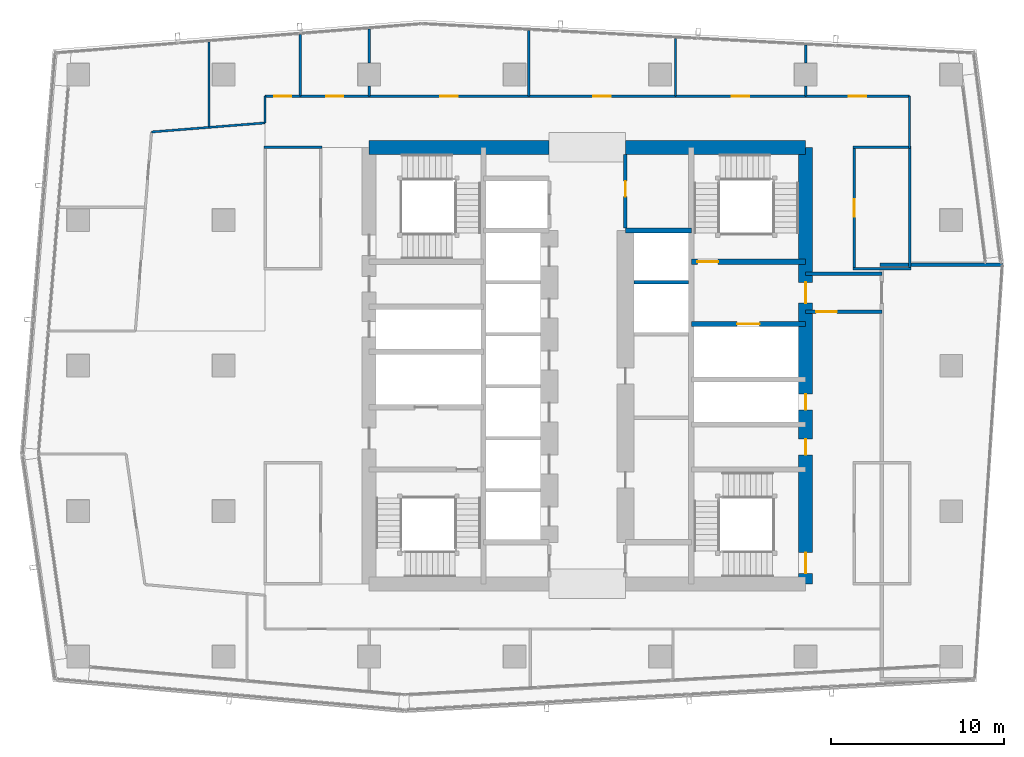
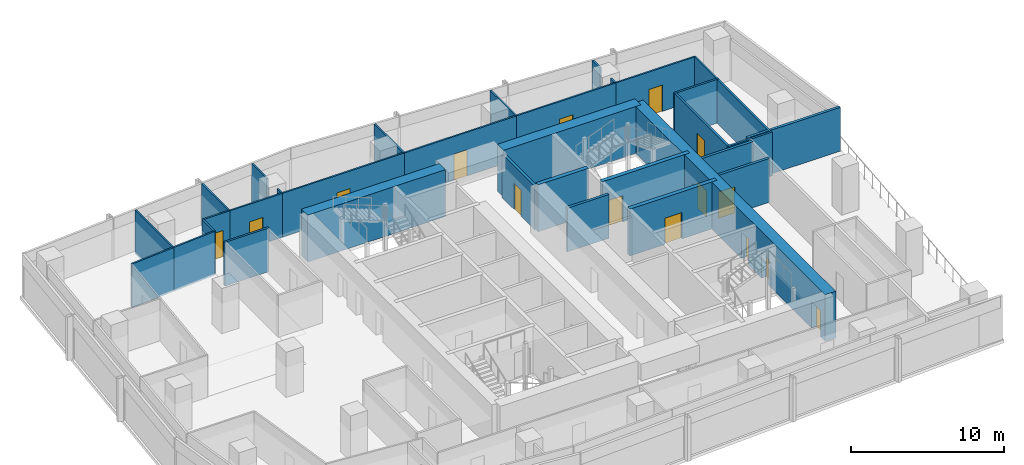
# One storey, part 22 of 28: 34 walls, 15 doors, 15 openings.
"""IFC4 building model written with IfcOpenShell, lengths in metres."""

from ifc_helpers import new_model, si_unit, direction, frame, frame_2d, origin, place, context, subcontext, project, spatial, rectangle, extrude, material, layer, layer_set, type_object, element, fill, save


model = new_model("IFC4")

# Units and contexts
model_context = context("Model", 3, precision=1e-05, world=origin(), true_north=direction((0.0, 1.0)))
body_context = subcontext(model_context, "Body", "Model", "MODEL_VIEW")
ifc_project = project(units=[si_unit("LENGTHUNIT", "METRE"), si_unit("AREAUNIT", "SQUARE_METRE"), si_unit("VOLUMEUNIT", "CUBIC_METRE"), si_unit("PLANEANGLEUNIT", "RADIAN"), si_unit("MASSUNIT", "GRAM", prefix="KILO")], contexts=[model_context])

# Site, building, storey
site_placement = place(None, origin())
site = spatial("IfcSite", under=ifc_project, at=site_placement, CompositionType="ELEMENT")
building_placement = place(site_placement, origin())
building = spatial("IfcBuilding", under=site, at=building_placement, Name="Rekha Terrace Tower", CompositionType="ELEMENT")
storey_placement = place(building_placement, frame((0.0, 0.0, 253.85009765625)))
storey = spatial("IfcBuildingStorey", under=building, at=storey_placement, Name="L64", CompositionType="ELEMENT", Elevation=253.85009765625)

# Wall
ifc_material_1 = material(Name="Concrete M60", Category="concrete")
ifc_layer_1 = layer(ifc_material_1, 0.300048828125)
ifc_layer_set_1 = layer_set([ifc_layer_1], Name="Concrete M60")
wall_type_1 = type_object("IfcWallType", Name="CI5 300 core internal shear wall", PredefinedType="SHEAR", material=ifc_layer_set_1)
wall_1_placement = place(storey_placement, frame((40.0, 41.39990234375, 0.0), z_axis=(0.0, 0.0, 1.0), x_axis=(1.0, 0.0, 0.0)))
element("IfcWall", 1, at=wall_1_placement, inside=storey, type_object=wall_type_1, Name="Core wall Y414E L64", PredefinedType="SHEAR", context=body_context, shape_type="SweptSolid", body=[
    extrude(rectangle(XDim=3.800048828125, YDim=0.300048828125, at=frame_2d((1.89990234375, 0.0))), origin(), (0.0, 0.0, 1.0), 3.75),
])

# Wall, opening, door
wall_2_placement = place(storey_placement, frame((43.800048828125, 36.0, 0.0), z_axis=(0.0, 0.0, 1.0), x_axis=(1.0, 0.0, 0.0)))
wall_2 = element("IfcWall", 2, at=wall_2_placement, inside=storey, type_object=wall_type_1, Name="Core wall Y360E L64", PredefinedType="SHEAR", context=body_context, shape_type="SweptSolid", body=[
    extrude(rectangle(XDim=6.599853515625, YDim=0.300048828125, at=frame_2d((3.2998046875, 0.0))), origin(), (0.0, 0.0, 1.0), 3.75),
])
opening_1_placement = place(wall_2_placement, frame((2.64990234375, 0.0, 0.0)))
opening_1 = element("IfcOpeningElement", 3, at=opening_1_placement, cuts=wall_2, Name="Opening LD2", PredefinedType="OPENING", context=body_context, shape_type="SweptSolid", body=[
    extrude(rectangle(XDim=1.300048828125, YDim=2.10009765625, at=frame_2d((0.64990234375, 1.050048828125))), frame((0.0, 0.159912109375, 0.0), z_axis=(0.0, -1.0, 0.0), x_axis=(1.0, 0.0, 0.0)), (0.0, 0.0, 1.0), 0.320068359375),
])
ifc_material_2 = material(Name="Stainless steel sliding landing door", Category="steel")
door_type_1 = type_object("IfcDoorType", Name="LD2 1300x2100 fire lift landing door", OperationType="SLIDING_TO_LEFT", PredefinedType="USERDEFINED", material=ifc_material_2)
door_1_placement = place(opening_1_placement, origin())
door_1 = element("IfcDoor", 4, at=door_1_placement, inside=storey, type_object=door_type_1, Name="Lift FL2 landing door L64", ObjectType="LIFT LANDING DOOR", OperationType="SLIDING_TO_LEFT", OverallHeight=2.10009765625, OverallWidth=1.300048828125, PredefinedType="USERDEFINED", context=body_context, shape_type="SweptSolid", body=[
    extrude(rectangle(XDim=1.300048828125, YDim=2.10009765625, at=frame_2d((0.64990234375, 1.050048828125))), frame((0.0, 0.02490234375, 0.0), z_axis=(0.0, -1.0, 0.0), x_axis=(1.0, 0.0, 0.0)), (0.0, 0.0, 1.0), 0.050048828125),
])
fill(opening_1, door_1)

wall_3_placement = place(storey_placement, frame((43.800048828125, 39.60009765625, 0.0), z_axis=(0.0, 0.0, 1.0), x_axis=(1.0, 0.0, 0.0)))
wall_3 = element("IfcWall", 5, at=wall_3_placement, inside=storey, type_object=wall_type_1, Name="Core wall Y396E L64", PredefinedType="SHEAR", context=body_context, shape_type="SweptSolid", body=[
    extrude(rectangle(XDim=6.599853515625, YDim=0.300048828125, at=frame_2d((3.2998046875, 0.0))), origin(), (0.0, 0.0, 1.0), 3.75),
])
opening_2_placement = place(wall_3_placement, frame((0.35009765625, 0.0, 0.0)))
opening_2 = element("IfcOpeningElement", 6, at=opening_2_placement, cuts=wall_3, Name="Opening D1", PredefinedType="OPENING", context=body_context, shape_type="SweptSolid", body=[
    extrude(rectangle(XDim=1.199951171875, YDim=2.10009765625, at=frame_2d((0.60009765625, 1.050048828125))), frame((0.0, 0.159912109375, 0.0), z_axis=(0.0, -1.0, 0.0), x_axis=(1.0, 0.0, 0.0)), (0.0, 0.0, 1.0), 0.320068359375),
])
ifc_material_3 = material(Name="Steel fire door", Category="steel")
door_type_2 = type_object("IfcDoorType", Name="D1 1200x2100 stair fire door", OperationType="SINGLE_SWING_RIGHT", PredefinedType="DOOR", material=ifc_material_3)
door_2_placement = place(opening_2_placement, origin())
door_2 = element("IfcDoor", 7, at=door_2_placement, inside=storey, type_object=door_type_2, Name="Stair ST2 door L64", OperationType="SINGLE_SWING_RIGHT", OverallHeight=2.10009765625, OverallWidth=1.199951171875, PredefinedType="DOOR", context=body_context, shape_type="SweptSolid", body=[
    extrude(rectangle(XDim=1.199951171875, YDim=2.10009765625, at=frame_2d((0.60009765625, 1.050048828125))), frame((0.0, 0.02490234375, 0.0), z_axis=(0.0, -1.0, 0.0), x_axis=(1.0, 0.0, 0.0)), (0.0, 0.0, 1.0), 0.050048828125),
])
fill(opening_2, door_2)

# Walls
ifc_layer_2 = layer(ifc_material_1, 0.800048828125)
ifc_layer_set_2 = layer_set([ifc_layer_2], Name="Concrete M60")
wall_type_2 = type_object("IfcWallType", Name="SW5 800 core outer shear wall", PredefinedType="SHEAR", material=ifc_layer_set_2)
wall_4_placement = place(storey_placement, frame((25.199951171875, 46.199951171875, 0.0), z_axis=(0.0, 0.0, 1.0), x_axis=(1.0, 0.0, 0.0)))
element("IfcWall", 8, at=wall_4_placement, inside=storey, type_object=wall_type_2, Name="Core wall N1 L64", PredefinedType="SHEAR", context=body_context, shape_type="SweptSolid", body=[
    extrude(rectangle(XDim=10.400146484375, YDim=0.800048828125, at=frame_2d((5.2001953125, 0.0))), origin(), (0.0, 0.0, 1.0), 3.75),
])
wall_5_placement = place(storey_placement, frame((40.0, 46.199951171875, 0.0), z_axis=(0.0, 0.0, 1.0), x_axis=(1.0, 0.0, 0.0)))
element("IfcWall", 9, at=wall_5_placement, inside=storey, type_object=wall_type_2, Name="Core wall N2 L64", PredefinedType="SHEAR", context=body_context, shape_type="SweptSolid", body=[
    extrude(rectangle(XDim=10.39990234375, YDim=0.800048828125, at=frame_2d((5.199951171875, 0.0))), origin(), (0.0, 0.0, 1.0), 3.75),
])

# Wall, openings, doors
wall_6_placement = place(storey_placement, frame((50.39990234375, 21.0, 0.0), z_axis=(0.0, 0.0, 1.0), x_axis=(0.0, 1.0, 0.0)))
wall_6 = element("IfcWall", 10, at=wall_6_placement, inside=storey, type_object=wall_type_2, Name="Core wall E L64", PredefinedType="SHEAR", context=body_context, shape_type="SweptSolid", body=[
    extrude(rectangle(XDim=25.199951171875, YDim=0.800048828125, at=frame_2d((12.60009765625, 0.0))), origin(), (0.0, 0.0, 1.0), 3.75),
])
opening_3_placement = place(wall_6_placement, frame((16.199951171875, 0.0, 0.0)))
opening_3 = element("IfcOpeningElement", 11, at=opening_3_placement, cuts=wall_6, Name="Opening D2", PredefinedType="OPENING", context=body_context, shape_type="SweptSolid", body=[
    extrude(rectangle(XDim=1.199951171875, YDim=2.10009765625, at=frame_2d((0.60009765625, 1.050048828125))), frame((0.0, 0.409912109375, 0.0), z_axis=(0.0, -1.0, 0.0), x_axis=(1.0, 0.0, 0.0)), (0.0, 0.0, 1.0), 0.820068359375),
])
opening_4_placement = place(wall_6_placement, frame((10.050048828125, 0.0, 0.0)))
opening_4 = element("IfcOpeningElement", 12, at=opening_4_placement, cuts=wall_6, Name="Opening D5", PredefinedType="OPENING", context=body_context, shape_type="SweptSolid", body=[
    extrude(rectangle(XDim=0.89990234375, YDim=2.10009765625, at=frame_2d((0.449951171875, 1.050048828125))), frame((0.0, 0.409912109375, 0.0), z_axis=(0.0, -1.0, 0.0), x_axis=(1.0, 0.0, 0.0)), (0.0, 0.0, 1.0), 0.820068359375),
])
opening_5_placement = place(wall_6_placement, frame((7.449951171875, 0.0, 0.0)))
opening_5 = element("IfcOpeningElement", 13, at=opening_5_placement, cuts=wall_6, Name="Opening D5", PredefinedType="OPENING", context=body_context, shape_type="SweptSolid", body=[
    extrude(rectangle(XDim=0.89990234375, YDim=2.10009765625, at=frame_2d((0.449951171875, 1.050048828125))), frame((0.0, 0.409912109375, 0.0), z_axis=(0.0, -1.0, 0.0), x_axis=(1.0, 0.0, 0.0)), (0.0, 0.0, 1.0), 0.820068359375),
])
opening_6_placement = place(wall_6_placement, frame((0.60009765625, 0.0, 0.0)))
opening_6 = element("IfcOpeningElement", 14, at=opening_6_placement, cuts=wall_6, Name="Opening D1", PredefinedType="OPENING", context=body_context, shape_type="SweptSolid", body=[
    extrude(rectangle(XDim=1.199951171875, YDim=2.10009765625, at=frame_2d((0.60009765625, 1.050048828125))), frame((0.0, 0.409912109375, 0.0), z_axis=(0.0, -1.0, 0.0), x_axis=(1.0, 0.0, 0.0)), (0.0, 0.0, 1.0), 0.820068359375),
])
door_3_placement = place(opening_6_placement, origin())
door_3 = element("IfcDoor", 15, at=door_3_placement, inside=storey, type_object=door_type_2, Name="Stair ST3 door L64", OperationType="SINGLE_SWING_RIGHT", OverallHeight=2.10009765625, OverallWidth=1.199951171875, PredefinedType="DOOR", context=body_context, shape_type="SweptSolid", body=[
    extrude(rectangle(XDim=1.199951171875, YDim=2.10009765625, at=frame_2d((0.60009765625, 1.050048828125))), frame((0.0, 0.02490234375, 0.0), z_axis=(0.0, -1.0, 0.0), x_axis=(1.0, 0.0, 0.0)), (0.0, 0.0, 1.0), 0.050048828125),
])
fill(opening_6, door_3)
door_type_3 = type_object("IfcDoorType", Name="D2 1200x2100 firefighting lobby door", OperationType="SINGLE_SWING_LEFT", PredefinedType="DOOR", material=ifc_material_3)
door_4_placement = place(opening_3_placement, origin())
door_4 = element("IfcDoor", 16, at=door_4_placement, inside=storey, type_object=door_type_3, Name="Door flb2 L64", OperationType="SINGLE_SWING_LEFT", OverallHeight=2.10009765625, OverallWidth=1.199951171875, PredefinedType="DOOR", context=body_context, shape_type="SweptSolid", body=[
    extrude(rectangle(XDim=1.199951171875, YDim=2.10009765625, at=frame_2d((0.60009765625, 1.050048828125))), frame((0.0, 0.02490234375, 0.0), z_axis=(0.0, -1.0, 0.0), x_axis=(1.0, 0.0, 0.0)), (0.0, 0.0, 1.0), 0.050048828125),
])
fill(opening_3, door_4)
door_type_4 = type_object("IfcDoorType", Name="D5 900x2100 riser access door", OperationType="SINGLE_SWING_LEFT", PredefinedType="DOOR", material=ifc_material_3)
door_5_placement = place(opening_4_placement, origin())
door_5 = element("IfcDoor", 17, at=door_5_placement, inside=storey, type_object=door_type_4, Name="Door rs2 L64", OperationType="SINGLE_SWING_LEFT", OverallHeight=2.10009765625, OverallWidth=0.89990234375, PredefinedType="DOOR", context=body_context, shape_type="SweptSolid", body=[
    extrude(rectangle(XDim=0.89990234375, YDim=2.10009765625, at=frame_2d((0.449951171875, 1.050048828125))), frame((0.0, 0.02490234375, 0.0), z_axis=(0.0, -1.0, 0.0), x_axis=(1.0, 0.0, 0.0)), (0.0, 0.0, 1.0), 0.050048828125),
])
fill(opening_4, door_5)
door_6_placement = place(opening_5_placement, origin())
door_6 = element("IfcDoor", 18, at=door_6_placement, inside=storey, type_object=door_type_4, Name="Door ele L64", OperationType="SINGLE_SWING_LEFT", OverallHeight=2.10009765625, OverallWidth=0.89990234375, PredefinedType="DOOR", context=body_context, shape_type="SweptSolid", body=[
    extrude(rectangle(XDim=0.89990234375, YDim=2.10009765625, at=frame_2d((0.449951171875, 1.050048828125))), frame((0.0, 0.02490234375, 0.0), z_axis=(0.0, -1.0, 0.0), x_axis=(1.0, 0.0, 0.0)), (0.0, 0.0, 1.0), 0.050048828125),
])
fill(opening_5, door_6)

# Walls
ifc_material_4 = material(Name="Concrete block masonry, 1 hour", Category="masonry")
ifc_layer_3 = layer(ifc_material_4, 0.14990234375)
ifc_layer_set_3 = layer_set([ifc_layer_3], Name="Concrete block masonry, 1 hour")
wall_type_3 = type_object("IfcWallType", Name="WP2 150 tenancy partition", PredefinedType="PARTITIONING", material=ifc_layer_set_3)
for number, where, z_axis, x_axis, name in (
    (19, (53.125, 39.199951171875, 0.0), (0.0, 0.0, 1.0), (1.0, 0.0, 0.0), "Women's WC wall L64"),
    (20, (53.125, 46.199951171875, 0.0), (0.0, 0.0, 1.0), (1.0, 0.0, 0.0), "Women's WC wall L64"),
):
    element("IfcWall", number, at=place(storey_placement, frame(where, z_axis=z_axis, x_axis=x_axis)), inside=storey, type_object=wall_type_3, Name=name, PredefinedType="PARTITIONING", context=body_context, shape_type="SweptSolid", body=[
        extrude(rectangle(XDim=3.35009765625, YDim=0.14990234375, at=frame_2d((1.675048828125, 0.0))), origin(), (0.0, 0.0, 1.0), 3.5),
    ])

# Wall, opening, door
wall_7_placement = place(storey_placement, frame((53.199951171875, 39.27490234375, 0.0), z_axis=(0.0, 0.0, 1.0), x_axis=(0.0, 1.0, 0.0)))
wall_7 = element("IfcWall", 21, at=wall_7_placement, inside=storey, type_object=wall_type_3, Name="Women's WC wall L64", PredefinedType="PARTITIONING", context=body_context, shape_type="SweptSolid", body=[
    extrude(rectangle(XDim=6.85009765625, YDim=0.14990234375, at=frame_2d((3.425048828125, 0.0))), origin(), (0.0, 0.0, 1.0), 3.5),
])
opening_7_placement = place(wall_7_placement, frame((2.925048828125, 0.0, 0.0)))
opening_7 = element("IfcOpeningElement", 22, at=opening_7_placement, cuts=wall_7, Name="Opening D3", PredefinedType="OPENING", context=body_context, shape_type="SweptSolid", body=[
    extrude(rectangle(XDim=1.0, YDim=2.10009765625, at=frame_2d((0.5, 1.050048828125))), frame((0.0, 0.0849609375, 0.0), z_axis=(0.0, -1.0, 0.0), x_axis=(1.0, 0.0, 0.0)), (0.0, 0.0, 1.0), 0.169921875),
])
ifc_material_5 = material(Name="Laminated timber fire door", Category="wood")
door_type_5 = type_object("IfcDoorType", Name="D3 1000x2100 WC door", OperationType="SINGLE_SWING_LEFT", PredefinedType="DOOR", material=ifc_material_5)
door_7_placement = place(opening_7_placement, origin())
door_7 = element("IfcDoor", 23, at=door_7_placement, inside=storey, type_object=door_type_5, Name="Door women's wc L64", OperationType="SINGLE_SWING_LEFT", OverallHeight=2.10009765625, OverallWidth=1.0, PredefinedType="DOOR", context=body_context, shape_type="SweptSolid", body=[
    extrude(rectangle(XDim=1.0, YDim=2.10009765625, at=frame_2d((0.5, 1.050048828125))), frame((0.0, 0.02490234375, 0.0), z_axis=(0.0, -1.0, 0.0), x_axis=(1.0, 0.0, 0.0)), (0.0, 0.0, 1.0), 0.050048828125),
])
fill(opening_7, door_7)

# Walls
wall_8_placement = place(storey_placement, frame((56.39990234375, 39.27490234375, 0.0), z_axis=(0.0, 0.0, 1.0), x_axis=(0.0, 1.0, 0.0)))
element("IfcWall", 24, at=wall_8_placement, inside=storey, type_object=wall_type_3, Name="Women's WC wall L64", PredefinedType="PARTITIONING", context=body_context, shape_type="SweptSolid", body=[
    extrude(rectangle(XDim=6.85009765625, YDim=0.14990234375, at=frame_2d((3.425048828125, 0.0))), origin(), (0.0, 0.0, 1.0), 3.5),
])
wall_9_placement = place(storey_placement, frame((19.125, 46.199951171875, 0.0), z_axis=(0.0, 0.0, 1.0), x_axis=(1.0, 0.0, 0.0)))
element("IfcWall", 25, at=wall_9_placement, inside=storey, type_object=wall_type_3, Name="Women's WC wall L64", PredefinedType="PARTITIONING", context=body_context, shape_type="SweptSolid", body=[
    extrude(rectangle(XDim=3.35009765625, YDim=0.14990234375, at=frame_2d((1.675048828125, 0.0))), origin(), (0.0, 0.0, 1.0), 3.5),
])
ifc_material_6 = material(Name="Two layers of fire-rated gypsum board each side on steel studs, acoustic quilt, 1 hour", Category="steel")
ifc_layer_4 = layer(ifc_material_6, 0.125)
ifc_layer_set_4 = layer_set([ifc_layer_4], Name="Two layers of fire-rated gypsum board each side on steel studs, acoustic quilt, 1 hour")
wall_type_4 = type_object("IfcWallType", Name="WP3 125 office partition", PredefinedType="PARTITIONING", material=ifc_layer_set_4)
wall_10_placement = place(storey_placement, frame((50.403076171875, 49.14990234375, 0.0), z_axis=(0.0, 0.0, 1.0), x_axis=(0.0, 1.0, 0.0)))
element("IfcWall", 26, at=wall_10_placement, inside=storey, type_object=wall_type_4, Name="Partition L64-03", PredefinedType="PARTITIONING", context=body_context, shape_type="SweptSolid", body=[
    extrude(rectangle(XDim=0.580078125, YDim=0.125, at=frame_2d((0.2900390625, 0.0))), origin(), (0.0, 0.0, 1.0), 3.5),
])
wall_11_placement = place(storey_placement, frame((50.403076171875, 51.070068359375, 0.0), z_axis=(0.0, 0.0, 1.0), x_axis=(0.0, 1.0, 0.0)))
element("IfcWall", 27, at=wall_11_placement, inside=storey, type_object=wall_type_4, Name="Partition L64-03", PredefinedType="PARTITIONING", context=body_context, shape_type="SweptSolid", body=[
    extrude(rectangle(XDim=1.02392578125, YDim=0.125, at=frame_2d((0.511962890625, 0.0))), origin(), (0.0, 0.0, 1.0), 3.5),
])
wall_12_placement = place(storey_placement, frame((56.39990234375, 46.125, 0.0), z_axis=(0.0, 0.0, 1.0), x_axis=(0.0, 1.0, 0.0)))
element("IfcWall", 28, at=wall_12_placement, inside=storey, type_object=wall_type_4, Name="Partition L64-03", PredefinedType="PARTITIONING", context=body_context, shape_type="SweptSolid", body=[
    extrude(rectangle(XDim=3.02490234375, YDim=0.125, at=frame_2d((1.512451171875, 0.0))), origin(), (0.0, 0.0, 1.0), 3.5),
])

# Wall, opening, door
wall_13_placement = place(storey_placement, frame((56.39990234375, 49.14990234375, 0.0), z_axis=(0.0, 0.0, 1.0), x_axis=(-1.0, 0.0, 0.0)))
wall_13 = element("IfcWall", 29, at=wall_13_placement, inside=storey, type_object=wall_type_4, Name="Partition L64-03", PredefinedType="PARTITIONING", context=body_context, shape_type="SweptSolid", body=[
    extrude(rectangle(XDim=5.996826171875, YDim=0.125, at=frame_2d((2.99853515625, 0.0))), origin(), (0.0, 0.0, 1.0), 3.5),
])
opening_8_placement = place(wall_13_placement, frame((2.498046875, 0.0, 0.0)))
opening_8 = element("IfcOpeningElement", 30, at=opening_8_placement, cuts=wall_13, Name="Opening D9", PredefinedType="OPENING", context=body_context, shape_type="SweptSolid", body=[
    extrude(rectangle(XDim=1.0, YDim=2.10009765625, at=frame_2d((0.5, 1.050048828125))), frame((0.0, 0.072509765625, 0.0), z_axis=(0.0, -1.0, 0.0), x_axis=(1.0, 0.0, 0.0)), (0.0, 0.0, 1.0), 0.14501953125),
])
ifc_material_7 = material(Name="Timber fire door", Category="wood")
door_type_6 = type_object("IfcDoorType", Name="D9 1000x2100 office door", OperationType="SINGLE_SWING_LEFT", PredefinedType="DOOR", material=ifc_material_7)
door_8_placement = place(opening_8_placement, origin())
door_8 = element("IfcDoor", 31, at=door_8_placement, inside=storey, type_object=door_type_6, Name="Door director's office L64", OperationType="SINGLE_SWING_LEFT", OverallHeight=2.10009765625, OverallWidth=1.0, PredefinedType="DOOR", context=body_context, shape_type="SweptSolid", body=[
    extrude(rectangle(XDim=1.0, YDim=2.10009765625, at=frame_2d((0.5, 1.050048828125))), frame((0.0, 0.02490234375, 0.0), z_axis=(0.0, -1.0, 0.0), x_axis=(1.0, 0.0, 0.0)), (0.0, 0.0, 1.0), 0.050048828125),
])
fill(opening_8, door_8)

wall_14_placement = place(storey_placement, frame((50.402099609375, 49.14990234375, 0.0), z_axis=(0.0, 0.0, 1.0), x_axis=(-1.0, 0.0, 0.0)))
wall_14 = element("IfcWall", 32, at=wall_14_placement, inside=storey, type_object=wall_type_4, Name="Partition L64-04", PredefinedType="PARTITIONING", context=body_context, shape_type="SweptSolid", body=[
    extrude(rectangle(XDim=7.51220703125, YDim=0.125, at=frame_2d((3.756103515625, 0.0))), origin(), (0.0, 0.0, 1.0), 3.5),
])
opening_9_placement = place(wall_14_placement, frame((3.256103515625, 0.0, 0.0)))
opening_9 = element("IfcOpeningElement", 33, at=opening_9_placement, cuts=wall_14, Name="Opening D9", PredefinedType="OPENING", context=body_context, shape_type="SweptSolid", body=[
    extrude(rectangle(XDim=1.0, YDim=2.10009765625, at=frame_2d((0.5, 1.050048828125))), frame((0.0, 0.072509765625, 0.0), z_axis=(0.0, -1.0, 0.0), x_axis=(1.0, 0.0, 0.0)), (0.0, 0.0, 1.0), 0.14501953125),
])
door_9_placement = place(opening_9_placement, origin())
door_9 = element("IfcDoor", 34, at=door_9_placement, inside=storey, type_object=door_type_6, Name="Door office L64", OperationType="SINGLE_SWING_LEFT", OverallHeight=2.10009765625, OverallWidth=1.0, PredefinedType="DOOR", context=body_context, shape_type="SweptSolid", body=[
    extrude(rectangle(XDim=1.0, YDim=2.10009765625, at=frame_2d((0.5, 1.050048828125))), frame((0.0, 0.02490234375, 0.0), z_axis=(0.0, -1.0, 0.0), x_axis=(1.0, 0.0, 0.0)), (0.0, 0.0, 1.0), 0.050048828125),
])
fill(opening_9, door_9)

# Wall
wall_15_placement = place(storey_placement, frame((42.889892578125, 49.14990234375, 0.0), z_axis=(0.0, 0.0, 1.0), x_axis=(0.0, 1.0, 0.0)))
element("IfcWall", 35, at=wall_15_placement, inside=storey, type_object=wall_type_4, Name="Partition L64-04", PredefinedType="PARTITIONING", context=body_context, shape_type="SweptSolid", body=[
    extrude(rectangle(XDim=3.343017578125, YDim=0.125, at=frame_2d((1.67138671875, 0.0))), origin(), (0.0, 0.0, 1.0), 3.5),
])

# Wall, opening, door
wall_16_placement = place(storey_placement, frame((42.888916015625, 49.14990234375, 0.0), z_axis=(0.0, 0.0, 1.0), x_axis=(-1.0, 0.0, 0.0)))
wall_16 = element("IfcWall", 36, at=wall_16_placement, inside=storey, type_object=wall_type_4, Name="Partition L64-05", PredefinedType="PARTITIONING", context=body_context, shape_type="SweptSolid", body=[
    extrude(rectangle(XDim=8.470947265625, YDim=0.125, at=frame_2d((4.2353515625, 0.0))), origin(), (0.0, 0.0, 1.0), 3.5),
])
opening_10_placement = place(wall_16_placement, frame((3.736083984375, 0.0, 0.0)))
opening_10 = element("IfcOpeningElement", 37, at=opening_10_placement, cuts=wall_16, Name="Opening D9", PredefinedType="OPENING", context=body_context, shape_type="SweptSolid", body=[
    extrude(rectangle(XDim=1.0, YDim=2.10009765625, at=frame_2d((0.5, 1.050048828125))), frame((0.0, 0.072509765625, 0.0), z_axis=(0.0, -1.0, 0.0), x_axis=(1.0, 0.0, 0.0)), (0.0, 0.0, 1.0), 0.14501953125),
])
door_10_placement = place(opening_10_placement, origin())
door_10 = element("IfcDoor", 38, at=door_10_placement, inside=storey, type_object=door_type_6, Name="Door office L64", OperationType="SINGLE_SWING_LEFT", OverallHeight=2.10009765625, OverallWidth=1.0, PredefinedType="DOOR", context=body_context, shape_type="SweptSolid", body=[
    extrude(rectangle(XDim=1.0, YDim=2.10009765625, at=frame_2d((0.5, 1.050048828125))), frame((0.0, 0.02490234375, 0.0), z_axis=(0.0, -1.0, 0.0), x_axis=(1.0, 0.0, 0.0)), (0.0, 0.0, 1.0), 0.050048828125),
])
fill(opening_10, door_10)

# Wall
wall_17_placement = place(storey_placement, frame((34.41796875, 49.14990234375, 0.0), z_axis=(0.0, 0.0, 1.0), x_axis=(0.0, 1.0, 0.0)))
element("IfcWall", 39, at=wall_17_placement, inside=storey, type_object=wall_type_4, Name="Partition L64-05", PredefinedType="PARTITIONING", context=body_context, shape_type="SweptSolid", body=[
    extrude(rectangle(XDim=3.793212890625, YDim=0.125, at=frame_2d((1.896484375, 0.0))), origin(), (0.0, 0.0, 1.0), 3.5),
])

# Wall, opening, door
wall_18_placement = place(storey_placement, frame((34.4169921875, 49.14990234375, 0.0), z_axis=(0.0, 0.0, 1.0), x_axis=(-1.0, 0.0, 0.0)))
wall_18 = element("IfcWall", 40, at=wall_18_placement, inside=storey, type_object=wall_type_4, Name="Partition L64-06", PredefinedType="PARTITIONING", context=body_context, shape_type="SweptSolid", body=[
    extrude(rectangle(XDim=9.2109375, YDim=0.125, at=frame_2d((4.60546875, 0.0))), origin(), (0.0, 0.0, 1.0), 3.5),
])
opening_11_placement = place(wall_18_placement, frame((4.10498046875, 0.0, 0.0)))
opening_11 = element("IfcOpeningElement", 41, at=opening_11_placement, cuts=wall_18, Name="Opening D9", PredefinedType="OPENING", context=body_context, shape_type="SweptSolid", body=[
    extrude(rectangle(XDim=1.0, YDim=2.10009765625, at=frame_2d((0.5, 1.050048828125))), frame((0.0, 0.072509765625, 0.0), z_axis=(0.0, -1.0, 0.0), x_axis=(1.0, 0.0, 0.0)), (0.0, 0.0, 1.0), 0.14501953125),
])
door_11_placement = place(opening_11_placement, origin())
door_11 = element("IfcDoor", 42, at=door_11_placement, inside=storey, type_object=door_type_6, Name="Door office L64", OperationType="SINGLE_SWING_LEFT", OverallHeight=2.10009765625, OverallWidth=1.0, PredefinedType="DOOR", context=body_context, shape_type="SweptSolid", body=[
    extrude(rectangle(XDim=1.0, YDim=2.10009765625, at=frame_2d((0.5, 1.050048828125))), frame((0.0, 0.02490234375, 0.0), z_axis=(0.0, -1.0, 0.0), x_axis=(1.0, 0.0, 0.0)), (0.0, 0.0, 1.0), 0.050048828125),
])
fill(opening_11, door_11)

# Walls
wall_19_placement = place(storey_placement, frame((25.2060546875, 49.14990234375, 0.0), z_axis=(0.0, 0.0, 1.0), x_axis=(0.0, 1.0, 0.0)))
element("IfcWall", 43, at=wall_19_placement, inside=storey, type_object=wall_type_4, Name="Partition L64-06", PredefinedType="PARTITIONING", context=body_context, shape_type="SweptSolid", body=[
    extrude(rectangle(XDim=0.580078125, YDim=0.125, at=frame_2d((0.2900390625, 0.0))), origin(), (0.0, 0.0, 1.0), 3.5),
])
wall_20_placement = place(storey_placement, frame((25.2060546875, 51.070068359375, 0.0), z_axis=(0.0, 0.0, 1.0), x_axis=(0.0, 1.0, 0.0)))
element("IfcWall", 44, at=wall_20_placement, inside=storey, type_object=wall_type_4, Name="Partition L64-06", PredefinedType="PARTITIONING", context=body_context, shape_type="SweptSolid", body=[
    extrude(rectangle(XDim=1.954833984375, YDim=0.125, at=frame_2d((0.9775390625, 0.0))), origin(), (0.0, 0.0, 1.0), 3.5),
])

# Wall, opening, door
wall_21_placement = place(storey_placement, frame((25.205078125, 49.14990234375, 0.0), z_axis=(0.0, 0.0, 1.0), x_axis=(-1.0, 0.0, 0.0)))
wall_21 = element("IfcWall", 45, at=wall_21_placement, inside=storey, type_object=wall_type_4, Name="Partition L64-07", PredefinedType="PARTITIONING", context=body_context, shape_type="SweptSolid", body=[
    extrude(rectangle(XDim=3.97802734375, YDim=0.125, at=frame_2d((1.989013671875, 0.0))), origin(), (0.0, 0.0, 1.0), 3.5),
])
opening_12_placement = place(wall_21_placement, frame((1.489013671875, 0.0, 0.0)))
opening_12 = element("IfcOpeningElement", 46, at=opening_12_placement, cuts=wall_21, Name="Opening D9", PredefinedType="OPENING", context=body_context, shape_type="SweptSolid", body=[
    extrude(rectangle(XDim=1.0, YDim=2.10009765625, at=frame_2d((0.5, 1.050048828125))), frame((0.0, 0.072509765625, 0.0), z_axis=(0.0, -1.0, 0.0), x_axis=(1.0, 0.0, 0.0)), (0.0, 0.0, 1.0), 0.14501953125),
])
door_12_placement = place(opening_12_placement, origin())
door_12 = element("IfcDoor", 47, at=door_12_placement, inside=storey, type_object=door_type_6, Name="Door office L64", OperationType="SINGLE_SWING_LEFT", OverallHeight=2.10009765625, OverallWidth=1.0, PredefinedType="DOOR", context=body_context, shape_type="SweptSolid", body=[
    extrude(rectangle(XDim=1.0, YDim=2.10009765625, at=frame_2d((0.5, 1.050048828125))), frame((0.0, 0.02490234375, 0.0), z_axis=(0.0, -1.0, 0.0), x_axis=(1.0, 0.0, 0.0)), (0.0, 0.0, 1.0), 0.050048828125),
])
fill(opening_12, door_12)

# Walls
wall_22_placement = place(storey_placement, frame((21.22705078125, 49.14990234375, 0.0), z_axis=(0.0, 0.0, 1.0), x_axis=(0.0, 1.0, 0.0)))
element("IfcWall", 48, at=wall_22_placement, inside=storey, type_object=wall_type_4, Name="Partition L64-07", PredefinedType="PARTITIONING", context=body_context, shape_type="SweptSolid", body=[
    extrude(rectangle(XDim=3.55810546875, YDim=0.125, at=frame_2d((1.779052734375, 0.0))), origin(), (0.0, 0.0, 1.0), 3.5),
])
wall_23_placement = place(storey_placement, frame((19.199951171875, 47.610107421875, 0.0), z_axis=(0.0, 0.0, 1.0), x_axis=(-0.99683691537, -0.079474298708, 0.0)))
element("IfcWall", 49, at=wall_23_placement, inside=storey, type_object=wall_type_4, Name="Partition L64-08", PredefinedType="PARTITIONING", context=body_context, shape_type="SweptSolid", body=[
    extrude(rectangle(XDim=3.25927734375, YDim=0.125, at=frame_2d((1.629638671875, 0.0))), origin(), (0.0, 0.0, 1.0), 3.5),
])
wall_24_placement = place(storey_placement, frame((15.950927734375, 47.35107421875, 0.0), z_axis=(0.0, 0.0, 1.0), x_axis=(0.0, 1.0, 0.0)))
element("IfcWall", 50, at=wall_24_placement, inside=storey, type_object=wall_type_4, Name="Partition L64-08", PredefinedType="PARTITIONING", context=body_context, shape_type="SweptSolid", body=[
    extrude(rectangle(XDim=4.93603515625, YDim=0.125, at=frame_2d((2.468017578125, 0.0))), origin(), (0.0, 0.0, 1.0), 3.5),
])

# Wall, opening, door
wall_25_placement = place(storey_placement, frame((21.22607421875, 49.14990234375, 0.0), z_axis=(0.0, 0.0, 1.0), x_axis=(-1.0, 0.0, 0.0)))
wall_25 = element("IfcWall", 51, at=wall_25_placement, inside=storey, type_object=wall_type_4, Name="Partition L64-08", PredefinedType="PARTITIONING", context=body_context, shape_type="SweptSolid", body=[
    extrude(rectangle(XDim=2.026123046875, YDim=0.125, at=frame_2d((1.01318359375, 0.0))), origin(), (0.0, 0.0, 1.0), 3.5),
])
opening_13_placement = place(wall_25_placement, frame((0.512939453125, 0.0, 0.0)))
opening_13 = element("IfcOpeningElement", 52, at=opening_13_placement, cuts=wall_25, Name="Opening D9", PredefinedType="OPENING", context=body_context, shape_type="SweptSolid", body=[
    extrude(rectangle(XDim=1.0, YDim=2.10009765625, at=frame_2d((0.5, 1.050048828125))), frame((0.0, 0.072509765625, 0.0), z_axis=(0.0, -1.0, 0.0), x_axis=(1.0, 0.0, 0.0)), (0.0, 0.0, 1.0), 0.14501953125),
])
door_13_placement = place(opening_13_placement, origin())
door_13 = element("IfcDoor", 53, at=door_13_placement, inside=storey, type_object=door_type_6, Name="Door office L64", OperationType="SINGLE_SWING_LEFT", OverallHeight=2.10009765625, OverallWidth=1.0, PredefinedType="DOOR", context=body_context, shape_type="SweptSolid", body=[
    extrude(rectangle(XDim=1.0, YDim=2.10009765625, at=frame_2d((0.5, 1.050048828125))), frame((0.0, 0.02490234375, 0.0), z_axis=(0.0, -1.0, 0.0), x_axis=(1.0, 0.0, 0.0)), (0.0, 0.0, 1.0), 0.050048828125),
])
fill(opening_13, door_13)

# Walls
wall_26_placement = place(storey_placement, frame((19.199951171875, 49.14990234375, 0.0), z_axis=(0.0, 0.0, 1.0), x_axis=(0.0, -1.0, 0.0)))
element("IfcWall", 54, at=wall_26_placement, inside=storey, type_object=wall_type_4, Name="Partition L64-08", PredefinedType="PARTITIONING", context=body_context, shape_type="SweptSolid", body=[
    extrude(rectangle(XDim=1.539794921875, YDim=0.125, at=frame_2d((0.77001953125, 0.0))), origin(), (0.0, 0.0, 1.0), 3.5),
])
wall_27_placement = place(storey_placement, frame((15.949951171875, 47.35107421875, 0.0), z_axis=(0.0, 0.0, 1.0), x_axis=(-0.99682463174, -0.07962822086, 0.0)))
element("IfcWall", 55, at=wall_27_placement, inside=storey, type_object=wall_type_4, Name="Partition L64-09", PredefinedType="PARTITIONING", context=body_context, shape_type="SweptSolid", body=[
    extrude(rectangle(XDim=3.3173828125, YDim=0.125, at=frame_2d((1.65869140625, 0.0))), origin(), (0.0, 0.0, 1.0), 3.5),
])
ifc_material_8 = material(Name="Solid concrete block masonry, 2 hour", Category="masonry")
ifc_layer_5 = layer(ifc_material_8, 0.199951171875)
ifc_layer_set_5 = layer_set([ifc_layer_5], Name="Solid concrete block masonry, 2 hour")
wall_type_5 = type_object("IfcWallType", Name="WS1 200 stair and shaft enclosure", PredefinedType="PARTITIONING", material=ifc_layer_set_5)
wall_28_placement = place(storey_placement, frame((40.5, 38.39990234375, 0.0), z_axis=(0.0, 0.0, 1.0), x_axis=(1.0, 0.0, 0.0)))
element("IfcWall", 56, at=wall_28_placement, inside=storey, type_object=wall_type_5, Name="Lift shaft divider L64", PredefinedType="PARTITIONING", context=body_context, shape_type="SweptSolid", body=[
    extrude(rectangle(XDim=3.14990234375, YDim=0.199951171875, at=frame_2d((1.574951171875, 0.0))), origin(), (0.0, 0.0, 1.0), 3.5),
])

# Wall, opening, door
wall_29_placement = place(storey_placement, frame((40.0, 41.550048828125, 0.0), z_axis=(0.0, 0.0, 1.0), x_axis=(0.0, 1.0, 0.0)))
wall_29 = element("IfcWall", 57, at=wall_29_placement, inside=storey, type_object=wall_type_5, Name="Core partition elec L64", PredefinedType="PARTITIONING", context=body_context, shape_type="SweptSolid", body=[
    extrude(rectangle(XDim=4.25, YDim=0.199951171875, at=frame_2d((2.125, 0.0))), origin(), (0.0, 0.0, 1.0), 3.5),
])
opening_14_placement = place(wall_29_placement, frame((1.800048828125, 0.0, 0.0)))
opening_14 = element("IfcOpeningElement", 58, at=opening_14_placement, cuts=wall_29, Name="Opening D5", PredefinedType="OPENING", context=body_context, shape_type="SweptSolid", body=[
    extrude(rectangle(XDim=0.89990234375, YDim=2.10009765625, at=frame_2d((0.449951171875, 1.050048828125))), frame((0.0, 0.10986328125, 0.0), z_axis=(0.0, -1.0, 0.0), x_axis=(1.0, 0.0, 0.0)), (0.0, 0.0, 1.0), 0.219970703125),
])
door_14_placement = place(opening_14_placement, origin())
door_14 = element("IfcDoor", 59, at=door_14_placement, inside=storey, type_object=door_type_4, Name="Door electrical room L64", OperationType="SINGLE_SWING_LEFT", OverallHeight=2.10009765625, OverallWidth=0.89990234375, PredefinedType="DOOR", context=body_context, shape_type="SweptSolid", body=[
    extrude(rectangle(XDim=0.89990234375, YDim=2.10009765625, at=frame_2d((0.449951171875, 1.050048828125))), frame((0.0, 0.02490234375, 0.0), z_axis=(0.0, -1.0, 0.0), x_axis=(1.0, 0.0, 0.0)), (0.0, 0.0, 1.0), 0.050048828125),
])
fill(opening_14, door_14)

# Walls
wall_30_placement = place(storey_placement, frame((54.699951171875, 39.43505859375, 0.0), z_axis=(0.0, 0.0, 1.0), x_axis=(1.0, 0.0, 0.0)))
element("IfcWall", 60, at=wall_30_placement, inside=storey, type_object=wall_type_5, Name="Refuge area north wall L64", PredefinedType="PARTITIONING", context=body_context, shape_type="SweptSolid", body=[
    extrude(rectangle(XDim=7.050048828125, YDim=0.199951171875, at=frame_2d((3.52490234375, 0.0))), origin(), (0.0, 0.0, 1.0), 3.5),
])
wall_31_placement = place(storey_placement, frame((50.39990234375, 38.89990234375, 0.0), z_axis=(0.0, 0.0, 1.0), x_axis=(1.0, 0.0, 0.0)))
element("IfcWall", 61, at=wall_31_placement, inside=storey, type_object=wall_type_5, Name="Refuge corridor north wall L64", PredefinedType="PARTITIONING", context=body_context, shape_type="SweptSolid", body=[
    extrude(rectangle(XDim=4.400146484375, YDim=0.199951171875, at=frame_2d((2.2001953125, 0.0))), origin(), (0.0, 0.0, 1.0), 3.5),
])

# Wall, opening, door
wall_32_placement = place(storey_placement, frame((50.39990234375, 36.699951171875, 0.0), z_axis=(0.0, 0.0, 1.0), x_axis=(1.0, 0.0, 0.0)))
wall_32 = element("IfcWall", 62, at=wall_32_placement, inside=storey, type_object=wall_type_5, Name="Refuge corridor south wall L64", PredefinedType="PARTITIONING", context=body_context, shape_type="SweptSolid", body=[
    extrude(rectangle(XDim=4.400146484375, YDim=0.199951171875, at=frame_2d((2.2001953125, 0.0))), origin(), (0.0, 0.0, 1.0), 3.5),
])
opening_15_placement = place(wall_32_placement, frame((0.60009765625, 0.0, 0.0)))
opening_15 = element("IfcOpeningElement", 63, at=opening_15_placement, cuts=wall_32, Name="Opening D2", PredefinedType="OPENING", context=body_context, shape_type="SweptSolid", body=[
    extrude(rectangle(XDim=1.199951171875, YDim=2.10009765625, at=frame_2d((0.60009765625, 1.050048828125))), frame((0.0, 0.10986328125, 0.0), z_axis=(0.0, -1.0, 0.0), x_axis=(1.0, 0.0, 0.0)), (0.0, 0.0, 1.0), 0.219970703125),
])
door_15_placement = place(opening_15_placement, origin())
door_15 = element("IfcDoor", 64, at=door_15_placement, inside=storey, type_object=door_type_3, Name="Refuge corridor door L64", OperationType="SINGLE_SWING_LEFT", OverallHeight=2.10009765625, OverallWidth=1.199951171875, PredefinedType="DOOR", context=body_context, shape_type="SweptSolid", body=[
    extrude(rectangle(XDim=1.199951171875, YDim=2.10009765625, at=frame_2d((0.60009765625, 1.050048828125))), frame((0.0, 0.02490234375, 0.0), z_axis=(0.0, -1.0, 0.0), x_axis=(1.0, 0.0, 0.0)), (0.0, 0.0, 1.0), 0.050048828125),
])
fill(opening_15, door_15)

save(model, "model.ifc")
